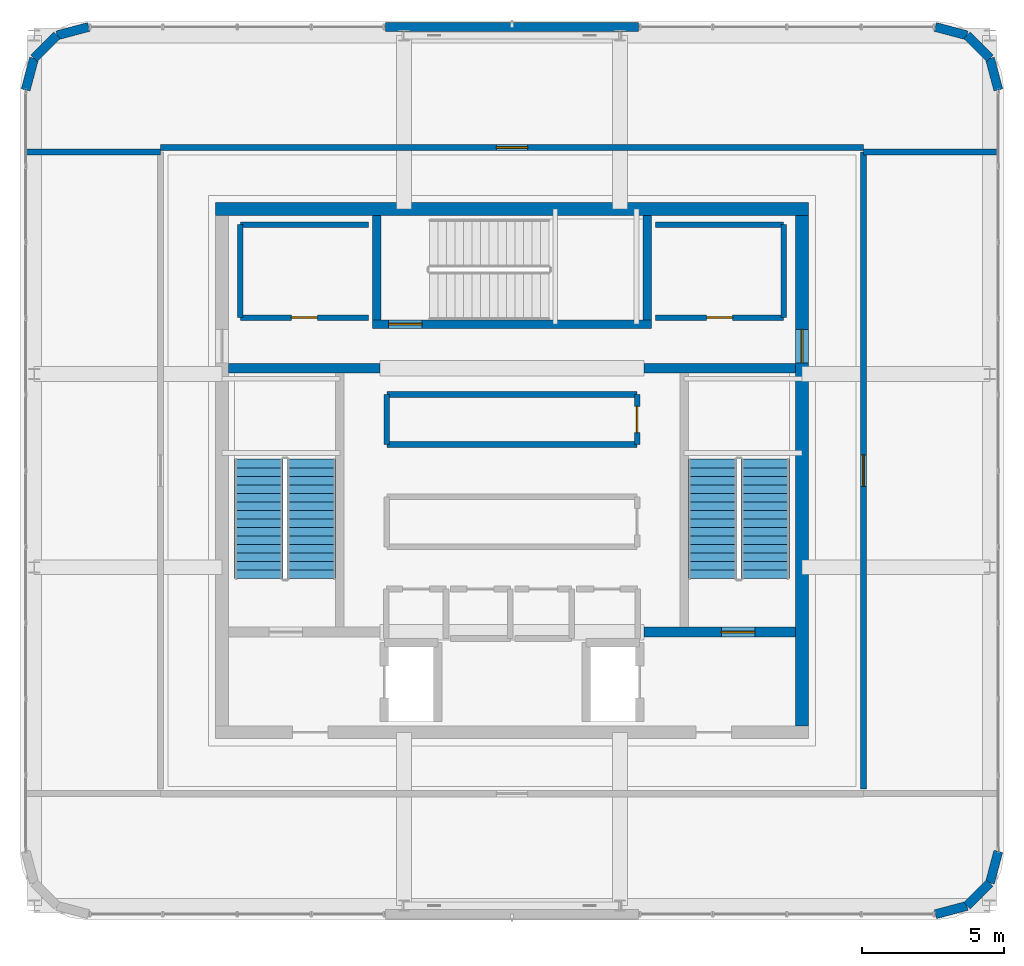
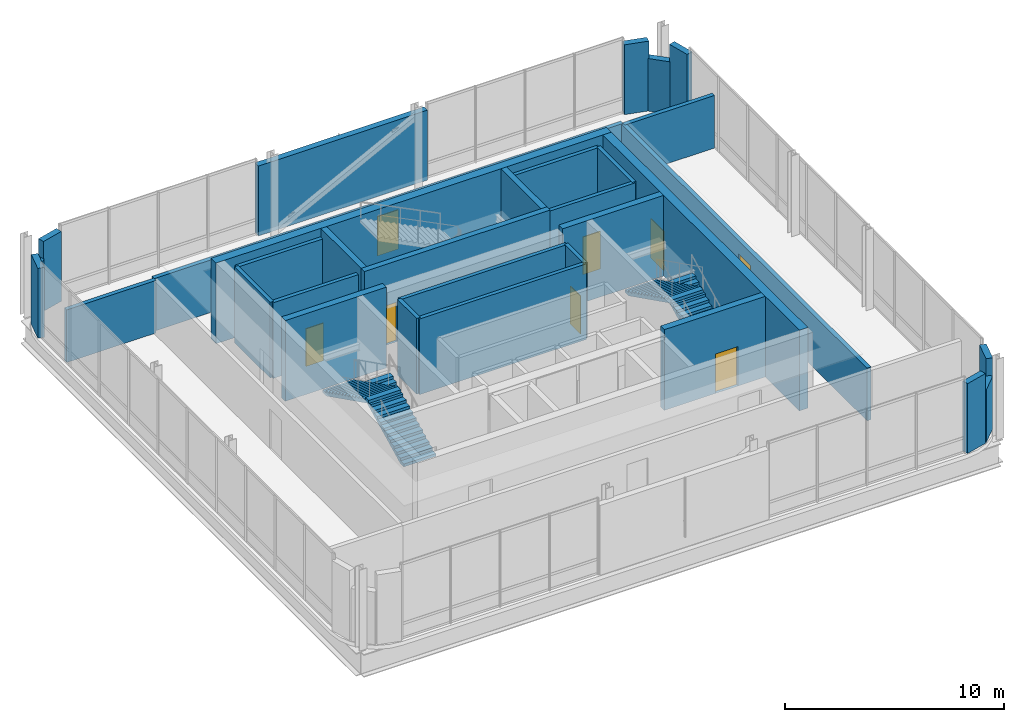
# One storey, part 21 of 25: 32 walls, 8 doors, 4 stair flights, 8 openings, 2 elements without a shape of their own.
"""IFC4 building model written with IfcOpenShell, lengths in metres."""

from ifc_helpers import new_model, si_unit, direction, frame, frame_2d, origin, place, context, subcontext, project, spatial, polyline, rectangle, outline, extrude, material, layer, layer_set, type_object, element, fill, aggregate, save


model = new_model("IFC4")

# Units and contexts
model_context = context("Model", 3, precision=1e-05, world=origin(), true_north=direction((0.0, 1.0)))
body_context = subcontext(model_context, "Body", "Model", "MODEL_VIEW")
ifc_project = project(units=[si_unit("LENGTHUNIT", "METRE"), si_unit("AREAUNIT", "SQUARE_METRE"), si_unit("VOLUMEUNIT", "CUBIC_METRE"), si_unit("PLANEANGLEUNIT", "RADIAN"), si_unit("MASSUNIT", "GRAM", prefix="KILO")], contexts=[model_context])

# Site, building, storey
site_placement = place(None, origin())
site = spatial("IfcSite", under=ifc_project, at=site_placement, CompositionType="ELEMENT")
building_placement = place(site_placement, origin())
building = spatial("IfcBuilding", under=site, at=building_placement, Name="Punatoya Terracotta Tower", CompositionType="ELEMENT")
storey_placement = place(building_placement, frame((0.0, 0.0, 357.300048828125)))
storey = spatial("IfcBuildingStorey", under=building, at=storey_placement, Name="L84", CompositionType="ELEMENT", Elevation=357.300048828125)

# Wall
ifc_material_1 = material(Name="Concrete C50/60", Category="concrete")
ifc_layer_1 = layer(ifc_material_1, 0.449951171875)
ifc_layer_set_1 = layer_set([ifc_layer_1], Name="Concrete C50/60")
wall_type_1 = type_object("IfcWallType", Name="WL-COR-450", PredefinedType="SHEAR", material=ifc_layer_set_1)
wall_1_placement = place(storey_placement, frame((-10.425048828125, 9.199951171875, 0.0), z_axis=(0.0, 0.0, 1.0), x_axis=(1.0, 0.0, 0.0)))
element("IfcWall", 1, at=wall_1_placement, inside=storey, type_object=wall_type_1, Name="L84 Core Shear Wall N", PredefinedType="SHEAR", context=body_context, shape_type="SweptSolid", body=[
    extrude(rectangle(XDim=20.85009765625, YDim=0.449951171875, at=frame_2d((10.425048828125, 0.0))), origin(), (0.0, 0.0, 1.0), 4.5),
])

# Wall, opening, door
wall_2_placement = place(storey_placement, frame((10.199951171875, 8.97509765625, 0.0), z_axis=(0.0, 0.0, 1.0), x_axis=(0.0, -1.0, 0.0)))
wall_2 = element("IfcWall", 2, at=wall_2_placement, inside=storey, type_object=wall_type_1, Name="L84 Core Shear Wall E", PredefinedType="SHEAR", context=body_context, shape_type="SweptSolid", body=[
    extrude(rectangle(XDim=17.9501953125, YDim=0.449951171875, at=frame_2d((8.97509765625, 0.0))), origin(), (0.0, 0.0, 1.0), 4.5),
])
opening_1_placement = place(wall_2_placement, frame((4.0048828125, 0.0, 0.0)))
opening_1 = element("IfcOpeningElement", 3, at=opening_1_placement, cuts=wall_2, Name="Opening SD-01", PredefinedType="OPENING", context=body_context, shape_type="SweptSolid", body=[
    extrude(rectangle(XDim=1.179931640625, YDim=2.199951171875, at=frame_2d((0.58984375, 1.10009765625))), frame((0.0, 0.23486328125, 0.0), z_axis=(0.0, -1.0, 0.0), x_axis=(1.0, 0.0, 0.0)), (0.0, 0.0, 1.0), 0.469970703125),
])
ifc_material_2 = material(Name="Galvanised Steel Pressurized Stair Fire Door", Category="steel")
door_type_1 = type_object("IfcDoorType", Name="DR-STR-1180", OperationType="NOTDEFINED", PredefinedType="DOOR", material=ifc_material_2)
door_1_placement = place(opening_1_placement, origin())
door_1 = element("IfcDoor", 4, at=door_1_placement, inside=storey, type_object=door_type_1, Name="L84 Central Lift Lobby East Fire Door", OperationType="SINGLE_SWING_RIGHT", OverallHeight=2.199951171875, OverallWidth=1.179931640625, PredefinedType="DOOR", context=body_context, shape_type="SweptSolid", body=[
    extrude(rectangle(XDim=1.179931640625, YDim=2.199951171875, at=frame_2d((0.58984375, 1.10009765625))), frame((0.0, 0.02490234375, 0.0), z_axis=(0.0, -1.0, 0.0), x_axis=(1.0, 0.0, 0.0)), (0.0, 0.0, 1.0), 0.050048828125),
])
fill(opening_1, door_1)

# Walls
ifc_material_3 = material(Name="Precast concrete C40/50", Category="concrete")
ifc_layer_2 = layer(ifc_material_3, 0.320068359375)
ifc_layer_set_2 = layer_set([ifc_layer_2], Name="Precast concrete C40/50")
wall_type_2 = type_object("IfcWallType", Name="WL-EXT-320", PredefinedType="SOLIDWALL", material=ifc_layer_set_2)
wall_3_placement = place(storey_placement, frame((14.886962890625, -15.60009765625, 0.0), z_axis=(0.0, 0.0, 1.0), x_axis=(0.966270139534, 0.257530614576, 0.0)))
element("IfcWall", 5, at=wall_3_placement, inside=storey, type_object=wall_type_2, Name="L84 Rounded Terracotta Corner Pier 02", PredefinedType="SOLIDWALL", context=body_context, shape_type="SweptSolid", body=[
    extrude(rectangle(XDim=1.15087890625, YDim=0.320068359375, at=frame_2d((0.575439453125, 0.0))), origin(), (0.0, 0.0, 1.0), 3.89404296875),
])
wall_4_placement = place(storey_placement, frame((15.9990234375, -15.3037109375, 0.0), z_axis=(0.0, 0.0, 1.0), x_axis=(0.707106781187, 0.707106781187, 0.0)))
element("IfcWall", 6, at=wall_4_placement, inside=storey, type_object=wall_type_2, Name="L84 Rounded Terracotta Corner Pier 03", PredefinedType="SOLIDWALL", context=body_context, shape_type="SweptSolid", body=[
    extrude(rectangle(XDim=1.137939453125, YDim=0.320068359375, at=frame_2d((0.56884765625, 0.0))), origin(), (0.0, 0.0, 1.0), 2.933837890625),
])
for number, where, z_axis, x_axis, name in (
    (7, (16.8037109375, -14.4990234375, 0.0), (0.0, 0.0, 1.0), (0.257530614576, 0.966270139534, 0.0), "L84 Rounded Terracotta Corner Pier 04"),
    (8, (17.10009765625, 13.386962890625, 0.0), (0.0, 0.0, 1.0), (-0.257530614576, 0.966270139534, 0.0), "L84 Rounded Terracotta Corner Pier 06"),
):
    element("IfcWall", number, at=place(storey_placement, frame(where, z_axis=z_axis, x_axis=x_axis)), inside=storey, type_object=wall_type_2, Name=name, PredefinedType="SOLIDWALL", context=body_context, shape_type="SweptSolid", body=[
        extrude(rectangle(XDim=1.15087890625, YDim=0.320068359375, at=frame_2d((0.575439453125, 0.0))), origin(), (0.0, 0.0, 1.0), 3.89404296875),
    ])
wall_5_placement = place(storey_placement, frame((16.8037109375, 14.4990234375, 0.0), z_axis=(0.0, 0.0, 1.0), x_axis=(-0.707106781187, 0.707106781187, 0.0)))
element("IfcWall", 9, at=wall_5_placement, inside=storey, type_object=wall_type_2, Name="L84 Rounded Terracotta Corner Pier 07", PredefinedType="SOLIDWALL", context=body_context, shape_type="SweptSolid", body=[
    extrude(rectangle(XDim=1.137939453125, YDim=0.320068359375, at=frame_2d((0.56884765625, 0.0))), origin(), (0.0, 0.0, 1.0), 2.933837890625),
])
wall_6_placement = place(storey_placement, frame((15.9990234375, 15.3037109375, 0.0), z_axis=(0.0, 0.0, 1.0), x_axis=(-0.966270139534, 0.257530614576, 0.0)))
element("IfcWall", 10, at=wall_6_placement, inside=storey, type_object=wall_type_2, Name="L84 Rounded Terracotta Corner Pier 08", PredefinedType="SOLIDWALL", context=body_context, shape_type="SweptSolid", body=[
    extrude(rectangle(XDim=1.15087890625, YDim=0.320068359375, at=frame_2d((0.575439453125, 0.0))), origin(), (0.0, 0.0, 1.0), 3.89404296875),
])
wall_7_placement = place(storey_placement, frame((4.449951171875, 15.60009765625, 0.0), z_axis=(0.0, 0.0, 1.0), x_axis=(-1.0, 0.0, 0.0)))
element("IfcWall", 11, at=wall_7_placement, inside=storey, type_object=wall_type_2, Name="L84 Terracotta Braced Facade Wall N1", PredefinedType="SOLIDWALL", context=body_context, shape_type="SweptSolid", body=[
    extrude(rectangle(XDim=8.89990234375, YDim=0.320068359375, at=frame_2d((4.449951171875, 0.0))), origin(), (0.0, 0.0, 1.0), 3.89404296875),
])
wall_8_placement = place(storey_placement, frame((-14.886962890625, 15.60009765625, 0.0), z_axis=(0.0, 0.0, 1.0), x_axis=(-0.966270139534, -0.257530614576, 0.0)))
element("IfcWall", 12, at=wall_8_placement, inside=storey, type_object=wall_type_2, Name="L84 Rounded Terracotta Corner Pier 10", PredefinedType="SOLIDWALL", context=body_context, shape_type="SweptSolid", body=[
    extrude(rectangle(XDim=1.15087890625, YDim=0.320068359375, at=frame_2d((0.575439453125, 0.0))), origin(), (0.0, 0.0, 1.0), 3.89404296875),
])
wall_9_placement = place(storey_placement, frame((-15.9990234375, 15.3037109375, 0.0), z_axis=(0.0, 0.0, 1.0), x_axis=(-0.707106781187, -0.707106781187, 0.0)))
element("IfcWall", 13, at=wall_9_placement, inside=storey, type_object=wall_type_2, Name="L84 Rounded Terracotta Corner Pier 11", PredefinedType="SOLIDWALL", context=body_context, shape_type="SweptSolid", body=[
    extrude(rectangle(XDim=1.137939453125, YDim=0.320068359375, at=frame_2d((0.56884765625, 0.0))), origin(), (0.0, 0.0, 1.0), 2.933837890625),
])
wall_10_placement = place(storey_placement, frame((-16.8037109375, 14.4990234375, 0.0), z_axis=(0.0, 0.0, 1.0), x_axis=(-0.257530614576, -0.966270139534, 0.0)))
element("IfcWall", 14, at=wall_10_placement, inside=storey, type_object=wall_type_2, Name="L84 Rounded Terracotta Corner Pier 12", PredefinedType="SOLIDWALL", context=body_context, shape_type="SweptSolid", body=[
    extrude(rectangle(XDim=1.15087890625, YDim=0.320068359375, at=frame_2d((0.575439453125, 0.0))), origin(), (0.0, 0.0, 1.0), 3.89404296875),
])
ifc_material_4 = material(Name="Concrete C40/50", Category="concrete")
ifc_layer_3 = layer(ifc_material_4, 0.219970703125)
ifc_layer_set_3 = layer_set([ifc_layer_3], Name="Concrete C40/50")
wall_type_3 = type_object("IfcWallType", Name="WL-FIR-220", PredefinedType="SOLIDWALL", material=ifc_layer_set_3)
wall_11_placement = place(storey_placement, frame((-17.080078125, 11.199951171875, 0.0), z_axis=(0.0, 0.0, 1.0), x_axis=(1.0, 0.0, 0.0)))
element("IfcWall", 15, at=wall_11_placement, inside=storey, type_object=wall_type_3, Name="L84 Crown West Smoke-Extract and Fan Plant Room Partition 29", PredefinedType="SOLIDWALL", context=body_context, shape_type="SweptSolid", body=[
    extrude(rectangle(XDim=4.719970703125, YDim=0.219970703125, at=frame_2d((2.35986328125, 0.0))), origin(), (0.0, 0.0, 1.0), 2.933837890625),
])

# Wall, opening, door
wall_12_placement = place(storey_placement, frame((12.360107421875, -11.199951171875, 0.0), z_axis=(0.0, 0.0, 1.0), x_axis=(0.0, 1.0, 0.0)))
wall_12 = element("IfcWall", 16, at=wall_12_placement, inside=storey, type_object=wall_type_3, Name="L84 Crown East Lift Machine and BMS Control Plant Partition 31", PredefinedType="SOLIDWALL", context=body_context, shape_type="SweptSolid", body=[
    extrude(rectangle(XDim=22.39990234375, YDim=0.219970703125, at=frame_2d((11.199951171875, 0.0))), origin(), (0.0, 0.0, 1.0), 2.933837890625),
])
opening_2_placement = place(wall_12_placement, frame((10.64990234375, 0.0, 0.0)))
opening_2 = element("IfcOpeningElement", 17, at=opening_2_placement, cuts=wall_12, Name="Opening FD-P1", PredefinedType="OPENING", context=body_context, shape_type="SweptSolid", body=[
    extrude(rectangle(XDim=1.10009765625, YDim=2.199951171875, at=frame_2d((0.550048828125, 1.10009765625))), frame((0.0, 0.119873046875, 0.0), z_axis=(0.0, -1.0, 0.0), x_axis=(1.0, 0.0, 0.0)), (0.0, 0.0, 1.0), 0.239990234375),
])
ifc_material_5 = material(Name="Galvanised Steel Plant Fire Door", Category="steel")
door_type_2 = type_object("IfcDoorType", Name="DR-PLT-1100", OperationType="NOTDEFINED", PredefinedType="DOOR", material=ifc_material_5)
door_2_placement = place(opening_2_placement, origin())
door_2 = element("IfcDoor", 18, at=door_2_placement, inside=storey, type_object=door_type_2, Name="L84 Crown East Lift Machine and BMS Control Plant Fire Door", OperationType="SINGLE_SWING_RIGHT", OverallHeight=2.199951171875, OverallWidth=1.10009765625, PredefinedType="DOOR", context=body_context, shape_type="SweptSolid", body=[
    extrude(rectangle(XDim=1.10009765625, YDim=2.199951171875, at=frame_2d((0.550048828125, 1.10009765625))), frame((0.0, 0.02490234375, 0.0), z_axis=(0.0, -1.0, 0.0), x_axis=(1.0, 0.0, 0.0)), (0.0, 0.0, 1.0), 0.050048828125),
])
fill(opening_2, door_2)

# Wall
wall_13_placement = place(storey_placement, frame((12.360107421875, 11.199951171875, 0.0), z_axis=(0.0, 0.0, 1.0), x_axis=(1.0, 0.0, 0.0)))
element("IfcWall", 19, at=wall_13_placement, inside=storey, type_object=wall_type_3, Name="L84 Crown East Lift Machine and BMS Control Plant Partition 32", PredefinedType="SOLIDWALL", context=body_context, shape_type="SweptSolid", body=[
    extrude(rectangle(XDim=4.719970703125, YDim=0.219970703125, at=frame_2d((2.35986328125, 0.0))), origin(), (0.0, 0.0, 1.0), 2.933837890625),
])

# Wall, opening, door
wall_14_placement = place(storey_placement, frame((12.360107421875, 11.360107421875, 0.0), z_axis=(0.0, 0.0, 1.0), x_axis=(-1.0, 0.0, 0.0)))
wall_14 = element("IfcWall", 20, at=wall_14_placement, inside=storey, type_object=wall_type_3, Name="L84 Crown North Standby Power and Booster Pump Plant Partition 33", PredefinedType="SOLIDWALL", context=body_context, shape_type="SweptSolid", body=[
    extrude(rectangle(XDim=24.72021484375, YDim=0.219970703125, at=frame_2d((12.360107421875, 0.0))), origin(), (0.0, 0.0, 1.0), 2.933837890625),
])
opening_3_placement = place(wall_14_placement, frame((11.81005859375, 0.0, 0.0)))
opening_3 = element("IfcOpeningElement", 21, at=opening_3_placement, cuts=wall_14, Name="Opening FD-P1", PredefinedType="OPENING", context=body_context, shape_type="SweptSolid", body=[
    extrude(rectangle(XDim=1.10009765625, YDim=2.199951171875, at=frame_2d((0.550048828125, 1.10009765625))), frame((0.0, 0.119873046875, 0.0), z_axis=(0.0, -1.0, 0.0), x_axis=(1.0, 0.0, 0.0)), (0.0, 0.0, 1.0), 0.239990234375),
])
door_3_placement = place(opening_3_placement, origin())
door_3 = element("IfcDoor", 22, at=door_3_placement, inside=storey, type_object=door_type_2, Name="L84 Crown North Standby Power and Booster Pump Plant Fire Door", OperationType="SINGLE_SWING_LEFT", OverallHeight=2.199951171875, OverallWidth=1.10009765625, PredefinedType="DOOR", context=body_context, shape_type="SweptSolid", body=[
    extrude(rectangle(XDim=1.10009765625, YDim=2.199951171875, at=frame_2d((0.550048828125, 1.10009765625))), frame((0.0, 0.02490234375, 0.0), z_axis=(0.0, -1.0, 0.0), x_axis=(1.0, 0.0, 0.0)), (0.0, 0.0, 1.0), 0.050048828125),
])
fill(opening_3, door_3)

ifc_layer_4 = layer(ifc_material_4, 0.199951171875)
ifc_layer_set_4 = layer_set([ifc_layer_4], Name="Concrete C40/50")
wall_type_4 = type_object("IfcWallType", Name="WL-INT-200", PredefinedType="SOLIDWALL", material=ifc_layer_set_4)
wall_15_placement = place(storey_placement, frame((4.39990234375, 0.919921875, 0.0), z_axis=(0.0, 0.0, 1.0), x_axis=(0.0, 1.0, 0.0)))
wall_15 = element("IfcWall", 23, at=wall_15_placement, inside=storey, type_object=wall_type_4, Name="L84 Crown Stair Pressurization Fan Room Partition 16", PredefinedType="SOLIDWALL", context=body_context, shape_type="SweptSolid", body=[
    extrude(rectangle(XDim=1.760009765625, YDim=0.199951171875, at=frame_2d((0.8798828125, 0.0))), origin(), (0.0, 0.0, 1.0), 4.219970703125),
])
opening_4_placement = place(wall_15_placement, frame((0.419921875, 0.0, 0.0)))
opening_4 = element("IfcOpeningElement", 24, at=opening_4_placement, cuts=wall_15, Name="Opening FD-R1", PredefinedType="OPENING", context=body_context, shape_type="SweptSolid", body=[
    extrude(rectangle(XDim=0.919921875, YDim=2.10009765625, at=frame_2d((0.4599609375, 1.050048828125))), frame((0.0, 0.10986328125, 0.0), z_axis=(0.0, -1.0, 0.0), x_axis=(1.0, 0.0, 0.0)), (0.0, 0.0, 1.0), 0.219970703125),
])
ifc_material_6 = material(Name="Galvanised Steel Riser Fire Access Door", Category="steel")
door_type_3 = type_object("IfcDoorType", Name="DR-RSR-920", OperationType="NOTDEFINED", PredefinedType="DOOR", material=ifc_material_6)
door_4_placement = place(opening_4_placement, origin())
door_4 = element("IfcDoor", 25, at=door_4_placement, inside=storey, type_object=door_type_3, Name="L84 Crown Stair Pressurization Fan Room Fire Door", OperationType="SINGLE_SWING_LEFT", OverallHeight=2.10009765625, OverallWidth=0.919921875, PredefinedType="DOOR", context=body_context, shape_type="SweptSolid", body=[
    extrude(rectangle(XDim=0.919921875, YDim=2.10009765625, at=frame_2d((0.4599609375, 1.050048828125))), frame((0.0, 0.02490234375, 0.0), z_axis=(0.0, -1.0, 0.0), x_axis=(1.0, 0.0, 0.0)), (0.0, 0.0, 1.0), 0.050048828125),
])
fill(opening_4, door_4)

# Walls
wall_16_placement = place(storey_placement, frame((4.39990234375, 2.679931640625, 0.0), z_axis=(0.0, 0.0, 1.0), x_axis=(-1.0, 0.0, 0.0)))
element("IfcWall", 26, at=wall_16_placement, inside=storey, type_object=wall_type_4, Name="L84 Crown Stair Pressurization Fan Room Partition 17", PredefinedType="SOLIDWALL", context=body_context, shape_type="SweptSolid", body=[
    extrude(rectangle(XDim=8.7998046875, YDim=0.199951171875, at=frame_2d((4.39990234375, 0.0))), origin(), (0.0, 0.0, 1.0), 4.219970703125),
])
wall_17_placement = place(storey_placement, frame((-4.39990234375, 2.679931640625, 0.0), z_axis=(0.0, 0.0, 1.0), x_axis=(0.0, -1.0, 0.0)))
element("IfcWall", 27, at=wall_17_placement, inside=storey, type_object=wall_type_4, Name="L84 Crown Stair Pressurization Fan Room Partition 18", PredefinedType="SOLIDWALL", context=body_context, shape_type="SweptSolid", body=[
    extrude(rectangle(XDim=1.760009765625, YDim=0.199951171875, at=frame_2d((0.8798828125, 0.0))), origin(), (0.0, 0.0, 1.0), 4.219970703125),
])
wall_18_placement = place(storey_placement, frame((-4.39990234375, 0.919921875, 0.0), z_axis=(0.0, 0.0, 1.0), x_axis=(1.0, 0.0, 0.0)))
element("IfcWall", 28, at=wall_18_placement, inside=storey, type_object=wall_type_4, Name="L84 Crown Stair Pressurization Fan Room Partition 19", PredefinedType="SOLIDWALL", context=body_context, shape_type="SweptSolid", body=[
    extrude(rectangle(XDim=8.7998046875, YDim=0.199951171875, at=frame_2d((4.39990234375, 0.0))), origin(), (0.0, 0.0, 1.0), 4.219970703125),
])
wall_19_placement = place(storey_placement, frame((-5.050048828125, 8.64990234375, 0.0), z_axis=(0.0, 0.0, 1.0), x_axis=(-1.0, 0.0, 0.0)))
element("IfcWall", 29, at=wall_19_placement, inside=storey, type_object=wall_type_4, Name="L84 West Duct Riser Partition 20", PredefinedType="SOLIDWALL", context=body_context, shape_type="SweptSolid", body=[
    extrude(rectangle(XDim=4.5, YDim=0.199951171875, at=frame_2d((2.25, 0.0))), origin(), (0.0, 0.0, 1.0), 4.219970703125),
])
wall_20_placement = place(storey_placement, frame((-9.550048828125, 8.64990234375, 0.0), z_axis=(0.0, 0.0, 1.0), x_axis=(0.0, -1.0, 0.0)))
element("IfcWall", 30, at=wall_20_placement, inside=storey, type_object=wall_type_4, Name="L84 West Duct Riser Partition 21", PredefinedType="SOLIDWALL", context=body_context, shape_type="SweptSolid", body=[
    extrude(rectangle(XDim=3.27001953125, YDim=0.199951171875, at=frame_2d((1.635009765625, 0.0))), origin(), (0.0, 0.0, 1.0), 4.219970703125),
])

# Wall, opening, door
wall_21_placement = place(storey_placement, frame((-9.550048828125, 5.3798828125, 0.0), z_axis=(0.0, 0.0, 1.0), x_axis=(1.0, 0.0, 0.0)))
wall_21 = element("IfcWall", 31, at=wall_21_placement, inside=storey, type_object=wall_type_4, Name="L84 West Duct Riser Partition 22", PredefinedType="SOLIDWALL", context=body_context, shape_type="SweptSolid", body=[
    extrude(rectangle(XDim=4.5, YDim=0.199951171875, at=frame_2d((2.25, 0.0))), origin(), (0.0, 0.0, 1.0), 4.219970703125),
])
opening_5_placement = place(wall_21_placement, frame((1.7900390625, 0.0, 0.0)))
opening_5 = element("IfcOpeningElement", 32, at=opening_5_placement, cuts=wall_21, Name="Opening FD-R1", PredefinedType="OPENING", context=body_context, shape_type="SweptSolid", body=[
    extrude(rectangle(XDim=0.919921875, YDim=2.10009765625, at=frame_2d((0.4599609375, 1.050048828125))), frame((0.0, 0.10986328125, 0.0), z_axis=(0.0, -1.0, 0.0), x_axis=(1.0, 0.0, 0.0)), (0.0, 0.0, 1.0), 0.219970703125),
])
door_5_placement = place(opening_5_placement, origin())
door_5 = element("IfcDoor", 33, at=door_5_placement, inside=storey, type_object=door_type_3, Name="L84 West Duct Riser Fire Door", OperationType="SINGLE_SWING_RIGHT", OverallHeight=2.10009765625, OverallWidth=0.919921875, PredefinedType="DOOR", context=body_context, shape_type="SweptSolid", body=[
    extrude(rectangle(XDim=0.919921875, YDim=2.10009765625, at=frame_2d((0.4599609375, 1.050048828125))), frame((0.0, 0.02490234375, 0.0), z_axis=(0.0, -1.0, 0.0), x_axis=(1.0, 0.0, 0.0)), (0.0, 0.0, 1.0), 0.050048828125),
])
fill(opening_5, door_5)

# Walls
wall_22_placement = place(storey_placement, frame((9.550048828125, 5.3798828125, 0.0), z_axis=(0.0, 0.0, 1.0), x_axis=(0.0, 1.0, 0.0)))
element("IfcWall", 34, at=wall_22_placement, inside=storey, type_object=wall_type_4, Name="L84 East Duct Riser Partition 23", PredefinedType="SOLIDWALL", context=body_context, shape_type="SweptSolid", body=[
    extrude(rectangle(XDim=3.27001953125, YDim=0.199951171875, at=frame_2d((1.635009765625, 0.0))), origin(), (0.0, 0.0, 1.0), 4.219970703125),
])
wall_23_placement = place(storey_placement, frame((9.550048828125, 8.64990234375, 0.0), z_axis=(0.0, 0.0, 1.0), x_axis=(-1.0, 0.0, 0.0)))
element("IfcWall", 35, at=wall_23_placement, inside=storey, type_object=wall_type_4, Name="L84 East Duct Riser Partition 24", PredefinedType="SOLIDWALL", context=body_context, shape_type="SweptSolid", body=[
    extrude(rectangle(XDim=4.5, YDim=0.199951171875, at=frame_2d((2.25, 0.0))), origin(), (0.0, 0.0, 1.0), 4.219970703125),
])

# Wall, opening, door
wall_24_placement = place(storey_placement, frame((5.050048828125, 5.3798828125, 0.0), z_axis=(0.0, 0.0, 1.0), x_axis=(1.0, 0.0, 0.0)))
wall_24 = element("IfcWall", 36, at=wall_24_placement, inside=storey, type_object=wall_type_4, Name="L84 East Duct Riser Partition 25", PredefinedType="SOLIDWALL", context=body_context, shape_type="SweptSolid", body=[
    extrude(rectangle(XDim=4.5, YDim=0.199951171875, at=frame_2d((2.25, 0.0))), origin(), (0.0, 0.0, 1.0), 4.219970703125),
])
opening_6_placement = place(wall_24_placement, frame((1.7900390625, 0.0, 0.0)))
opening_6 = element("IfcOpeningElement", 37, at=opening_6_placement, cuts=wall_24, Name="Opening FD-R1", PredefinedType="OPENING", context=body_context, shape_type="SweptSolid", body=[
    extrude(rectangle(XDim=0.919921875, YDim=2.10009765625, at=frame_2d((0.4599609375, 1.050048828125))), frame((0.0, 0.10986328125, 0.0), z_axis=(0.0, -1.0, 0.0), x_axis=(1.0, 0.0, 0.0)), (0.0, 0.0, 1.0), 0.219970703125),
])
door_6_placement = place(opening_6_placement, origin())
door_6 = element("IfcDoor", 38, at=door_6_placement, inside=storey, type_object=door_type_3, Name="L84 East Duct Riser Fire Door", OperationType="SINGLE_SWING_LEFT", OverallHeight=2.10009765625, OverallWidth=0.919921875, PredefinedType="DOOR", context=body_context, shape_type="SweptSolid", body=[
    extrude(rectangle(XDim=0.919921875, YDim=2.10009765625, at=frame_2d((0.4599609375, 1.050048828125))), frame((0.0, 0.02490234375, 0.0), z_axis=(0.0, -1.0, 0.0), x_axis=(1.0, 0.0, 0.0)), (0.0, 0.0, 1.0), 0.050048828125),
])
fill(opening_6, door_6)

# Walls
ifc_layer_5 = layer(ifc_material_4, 0.300048828125)
ifc_layer_set_5 = layer_set([ifc_layer_5], Name="Concrete C40/50")
wall_type_5 = type_object("IfcWallType", Name="WL-SHF-300", PredefinedType="SOLIDWALL", material=ifc_layer_set_5)
for number, where, z_axis, x_axis, name in (
    (39, (-4.75, 5.300048828125, 0.0), (0.0, 0.0, 1.0), (0.0, 1.0, 0.0), "L84 Structural Stair Shaft Wall SW-ST3-W"),
    (40, (4.75, 8.97509765625, 0.0), (0.0, 0.0, 1.0), (0.0, -1.0, 0.0), "L84 Structural Stair Shaft Wall SW-ST3-E"),
):
    element("IfcWall", number, at=place(storey_placement, frame(where, z_axis=z_axis, x_axis=x_axis)), inside=storey, type_object=wall_type_5, Name=name, PredefinedType="SOLIDWALL", context=body_context, shape_type="SweptSolid", body=[
        extrude(rectangle(XDim=3.675048828125, YDim=0.300048828125, at=frame_2d((1.83740234375, 0.0))), origin(), (0.0, 0.0, 1.0), 4.5),
    ])

# Wall, opening, door
wall_25_placement = place(storey_placement, frame((-4.89990234375, 5.14990234375, 0.0), z_axis=(0.0, 0.0, 1.0), x_axis=(1.0, 0.0, 0.0)))
wall_25 = element("IfcWall", 41, at=wall_25_placement, inside=storey, type_object=wall_type_5, Name="L84 Structural Stair Shaft Wall SW-ST3-S", PredefinedType="SOLIDWALL", context=body_context, shape_type="SweptSolid", body=[
    extrude(rectangle(XDim=9.7998046875, YDim=0.300048828125, at=frame_2d((4.89990234375, 0.0))), origin(), (0.0, 0.0, 1.0), 4.5),
])
opening_7_placement = place(wall_25_placement, frame((0.56005859375, 0.0, 0.0)))
opening_7 = element("IfcOpeningElement", 42, at=opening_7_placement, cuts=wall_25, Name="Opening SD-01", PredefinedType="OPENING", context=body_context, shape_type="SweptSolid", body=[
    extrude(rectangle(XDim=1.179931640625, YDim=2.199951171875, at=frame_2d((0.58984375, 1.10009765625))), frame((0.0, 0.159912109375, 0.0), z_axis=(0.0, -1.0, 0.0), x_axis=(1.0, 0.0, 0.0)), (0.0, 0.0, 1.0), 0.320068359375),
])
door_7_placement = place(opening_7_placement, origin())
door_7 = element("IfcDoor", 43, at=door_7_placement, inside=storey, type_object=door_type_1, Name="L84 Stair ST-3 Core Lobby Fire Door", OperationType="SINGLE_SWING_LEFT", OverallHeight=2.199951171875, OverallWidth=1.179931640625, PredefinedType="DOOR", context=body_context, shape_type="SweptSolid", body=[
    extrude(rectangle(XDim=1.179931640625, YDim=2.199951171875, at=frame_2d((0.58984375, 1.10009765625))), frame((0.0, 0.02490234375, 0.0), z_axis=(0.0, -1.0, 0.0), x_axis=(1.0, 0.0, 0.0)), (0.0, 0.0, 1.0), 0.050048828125),
])
fill(opening_7, door_7)

ifc_layer_6 = layer(ifc_material_1, 0.35009765625)
ifc_layer_set_6 = layer_set([ifc_layer_6], Name="Concrete C50/60")
wall_type_6 = type_object("IfcWallType", Name="WL-SHF-350", PredefinedType="SOLIDWALL", material=ifc_layer_set_6)
wall_26_placement = place(storey_placement, frame((4.64990234375, -5.679931640625, 0.0), z_axis=(0.0, 0.0, 1.0), x_axis=(1.0, 0.0, 0.0)))
wall_26 = element("IfcWall", 44, at=wall_26_placement, inside=storey, type_object=wall_type_6, Name="L84 Core Web Wall CSW-R", PredefinedType="SOLIDWALL", context=body_context, shape_type="SweptSolid", body=[
    extrude(rectangle(XDim=5.3251953125, YDim=0.35009765625, at=frame_2d((2.66259765625, 0.0))), origin(), (0.0, 0.0, 1.0), 4.5),
])
opening_8_placement = place(wall_26_placement, frame((2.7099609375, 0.0, 0.0)))
opening_8 = element("IfcOpeningElement", 45, at=opening_8_placement, cuts=wall_26, Name="Opening SD-01", PredefinedType="OPENING", context=body_context, shape_type="SweptSolid", body=[
    extrude(rectangle(XDim=1.179931640625, YDim=2.199951171875, at=frame_2d((0.58984375, 1.10009765625))), frame((0.0, 0.18505859375, 0.0), z_axis=(0.0, -1.0, 0.0), x_axis=(1.0, 0.0, 0.0)), (0.0, 0.0, 1.0), 0.3701171875),
])
door_8_placement = place(opening_8_placement, origin())
door_8 = element("IfcDoor", 46, at=door_8_placement, inside=storey, type_object=door_type_1, Name="L84 Stair ST-2 Smokeproof Lobby Fire Door", OperationType="SINGLE_SWING_RIGHT", OverallHeight=2.199951171875, OverallWidth=1.179931640625, PredefinedType="DOOR", context=body_context, shape_type="SweptSolid", body=[
    extrude(rectangle(XDim=1.179931640625, YDim=2.199951171875, at=frame_2d((0.58984375, 1.10009765625))), frame((0.0, 0.02490234375, 0.0), z_axis=(0.0, -1.0, 0.0), x_axis=(1.0, 0.0, 0.0)), (0.0, 0.0, 1.0), 0.050048828125),
])
fill(opening_8, door_8)

# Walls
for number, where, z_axis, x_axis, name in (
    (47, (-9.97509765625, 3.60009765625, 0.0), (0.0, 0.0, 1.0), (1.0, 0.0, 0.0), "L84 Core Web Wall CNW-L"),
    (48, (4.64990234375, 3.60009765625, 0.0), (0.0, 0.0, 1.0), (1.0, 0.0, 0.0), "L84 Core Web Wall CNW-R"),
):
    element("IfcWall", number, at=place(storey_placement, frame(where, z_axis=z_axis, x_axis=x_axis)), inside=storey, type_object=wall_type_6, Name=name, PredefinedType="SOLIDWALL", context=body_context, shape_type="SweptSolid", body=[
        extrude(rectangle(XDim=5.3251953125, YDim=0.35009765625, at=frame_2d((2.66259765625, 0.0))), origin(), (0.0, 0.0, 1.0), 4.5),
    ])

# Stair, stair flights
stair_type_1 = type_object("IfcStairType", Name="STR-CORE-1550", PredefinedType="HALF_TURN_STAIR", material=ifc_material_4)
stair_1_placement = place(storey_placement, origin())
stair_1 = element("IfcStair", 49, at=stair_1_placement, inside=storey, type_object=stair_type_1, Name="L84 Protected Core Exit Stair ST-1", PredefinedType="HALF_TURN_STAIR")
stair_flight_type_1 = type_object("IfcStairFlightType", Name="SFL-CORE-1550", PredefinedType="STRAIGHT", material=ifc_material_4)
stair_flight_1_placement = place(storey_placement, frame((-7.050048828125, -3.800048828125, 0.0), z_axis=(0.0, 0.0, 1.0), x_axis=(0.0, 1.0, 0.0)))
stair_flight_1 = element("IfcStairFlight", 50, at=stair_flight_1_placement, type_object=stair_flight_type_1, Name="ST-1 flight 1", NumberOfRisers=15, NumberOfTreads=14, PredefinedType="STRAIGHT", RiserHeight=0.15, TreadLength=0.3, context=body_context, shape_type="SweptSolid", body=[
    extrude(outline(polyline([(0.0, 0.0), (0.0, 0.14990234375), (0.300048828125, 0.14990234375), (0.300048828125, 0.300048828125), (0.60009765625, 0.300048828125), (0.60009765625, 0.449951171875), (0.89990234375, 0.449951171875), (0.89990234375, 0.60009765625), (1.199951171875, 0.60009765625), (1.199951171875, 0.75), (1.5, 0.75), (1.5, 0.89990234375), (1.800048828125, 0.89990234375), (1.800048828125, 1.050048828125), (2.10009765625, 1.050048828125), (2.10009765625, 1.199951171875), (2.39990234375, 1.199951171875), (2.39990234375, 1.35009765625), (2.699951171875, 1.35009765625), (2.699951171875, 1.5), (3.0, 1.5), (3.0, 1.64990234375), (3.300048828125, 1.64990234375), (3.300048828125, 1.800048828125), (3.60009765625, 1.800048828125), (3.60009765625, 1.949951171875), (3.89990234375, 1.949951171875), (3.89990234375, 2.10009765625), (4.199951171875, 2.10009765625), (4.199951171875, 2.25), (4.199951171875, 1.932373046875), (0.335205078125, 0.0), (0.0, 0.0)])), frame((0.0, 0.85009765625, 0.0), z_axis=(0.0, -1.0, 0.0), x_axis=(1.0, 0.0, 0.0)), (0.0, 0.0, 1.0), 1.699951171875),
])
stair_flight_2_placement = place(storey_placement, frame((-8.89990234375, 0.39990234375, 2.25), z_axis=(0.0, 0.0, 1.0), x_axis=(0.0, -1.0, 0.0)))
stair_flight_2 = element("IfcStairFlight", 51, at=stair_flight_2_placement, type_object=stair_flight_type_1, Name="ST-1 flight 2", NumberOfRisers=15, NumberOfTreads=14, PredefinedType="STRAIGHT", RiserHeight=0.15, TreadLength=0.3, context=body_context, shape_type="SweptSolid", body=[
    extrude(outline(polyline([(0.0, 0.0), (0.0, 0.14990234375), (0.300048828125, 0.14990234375), (0.300048828125, 0.300048828125), (0.60009765625, 0.300048828125), (0.60009765625, 0.449951171875), (0.89990234375, 0.449951171875), (0.89990234375, 0.60009765625), (1.199951171875, 0.60009765625), (1.199951171875, 0.75), (1.5, 0.75), (1.5, 0.89990234375), (1.800048828125, 0.89990234375), (1.800048828125, 1.050048828125), (2.10009765625, 1.050048828125), (2.10009765625, 1.199951171875), (2.39990234375, 1.199951171875), (2.39990234375, 1.35009765625), (2.699951171875, 1.35009765625), (2.699951171875, 1.5), (3.0, 1.5), (3.0, 1.64990234375), (3.300048828125, 1.64990234375), (3.300048828125, 1.800048828125), (3.60009765625, 1.800048828125), (3.60009765625, 1.949951171875), (3.89990234375, 1.949951171875), (3.89990234375, 2.10009765625), (4.199951171875, 2.10009765625), (4.199951171875, 2.25), (4.199951171875, 1.932373046875), (0.335205078125, 0.0), (0.0, 0.0)])), frame((0.0, 0.85009765625, 0.0), z_axis=(0.0, -1.0, 0.0), x_axis=(1.0, 0.0, 0.0)), (0.0, 0.0, 1.0), 1.699951171875),
])
aggregate(stair_1, [stair_flight_1, stair_flight_2])

stair_type_2 = type_object("IfcStairType", Name="STR-LOB-1650", PredefinedType="HALF_TURN_STAIR", material=ifc_material_4)
stair_2_placement = place(storey_placement, origin())
stair_2 = element("IfcStair", 52, at=stair_2_placement, inside=storey, type_object=stair_type_2, Name="L84 Protected Core Exit Stair ST-2", PredefinedType="HALF_TURN_STAIR")
stair_flight_type_2 = type_object("IfcStairFlightType", Name="SFL-LOB-1650", PredefinedType="STRAIGHT", material=ifc_material_4)
stair_flight_3_placement = place(storey_placement, frame((8.89990234375, -3.800048828125, 0.0), z_axis=(0.0, 0.0, 1.0), x_axis=(0.0, 1.0, 0.0)))
stair_flight_3 = element("IfcStairFlight", 53, at=stair_flight_3_placement, type_object=stair_flight_type_2, Name="ST-2 flight 1", NumberOfRisers=15, NumberOfTreads=14, PredefinedType="STRAIGHT", RiserHeight=0.15, TreadLength=0.3, context=body_context, shape_type="SweptSolid", body=[
    extrude(outline(polyline([(0.0, 0.0), (0.0, 0.14990234375), (0.300048828125, 0.14990234375), (0.300048828125, 0.300048828125), (0.60009765625, 0.300048828125), (0.60009765625, 0.449951171875), (0.89990234375, 0.449951171875), (0.89990234375, 0.60009765625), (1.199951171875, 0.60009765625), (1.199951171875, 0.75), (1.5, 0.75), (1.5, 0.89990234375), (1.800048828125, 0.89990234375), (1.800048828125, 1.050048828125), (2.10009765625, 1.050048828125), (2.10009765625, 1.199951171875), (2.39990234375, 1.199951171875), (2.39990234375, 1.35009765625), (2.699951171875, 1.35009765625), (2.699951171875, 1.5), (3.0, 1.5), (3.0, 1.64990234375), (3.300048828125, 1.64990234375), (3.300048828125, 1.800048828125), (3.60009765625, 1.800048828125), (3.60009765625, 1.949951171875), (3.89990234375, 1.949951171875), (3.89990234375, 2.10009765625), (4.199951171875, 2.10009765625), (4.199951171875, 2.25), (4.199951171875, 1.932373046875), (0.335205078125, 0.0), (0.0, 0.0)])), frame((0.0, 0.85009765625, 0.0), z_axis=(0.0, -1.0, 0.0), x_axis=(1.0, 0.0, 0.0)), (0.0, 0.0, 1.0), 1.699951171875),
])
stair_flight_4_placement = place(storey_placement, frame((7.050048828125, 0.39990234375, 2.25), z_axis=(0.0, 0.0, 1.0), x_axis=(0.0, -1.0, 0.0)))
stair_flight_4 = element("IfcStairFlight", 54, at=stair_flight_4_placement, type_object=stair_flight_type_2, Name="ST-2 flight 2", NumberOfRisers=15, NumberOfTreads=14, PredefinedType="STRAIGHT", RiserHeight=0.15, TreadLength=0.3, context=body_context, shape_type="SweptSolid", body=[
    extrude(outline(polyline([(0.0, 0.0), (0.0, 0.14990234375), (0.300048828125, 0.14990234375), (0.300048828125, 0.300048828125), (0.60009765625, 0.300048828125), (0.60009765625, 0.449951171875), (0.89990234375, 0.449951171875), (0.89990234375, 0.60009765625), (1.199951171875, 0.60009765625), (1.199951171875, 0.75), (1.5, 0.75), (1.5, 0.89990234375), (1.800048828125, 0.89990234375), (1.800048828125, 1.050048828125), (2.10009765625, 1.050048828125), (2.10009765625, 1.199951171875), (2.39990234375, 1.199951171875), (2.39990234375, 1.35009765625), (2.699951171875, 1.35009765625), (2.699951171875, 1.5), (3.0, 1.5), (3.0, 1.64990234375), (3.300048828125, 1.64990234375), (3.300048828125, 1.800048828125), (3.60009765625, 1.800048828125), (3.60009765625, 1.949951171875), (3.89990234375, 1.949951171875), (3.89990234375, 2.10009765625), (4.199951171875, 2.10009765625), (4.199951171875, 2.25), (4.199951171875, 1.932373046875), (0.335205078125, 0.0), (0.0, 0.0)])), frame((0.0, 0.85009765625, 0.0), z_axis=(0.0, -1.0, 0.0), x_axis=(1.0, 0.0, 0.0)), (0.0, 0.0, 1.0), 1.699951171875),
])
aggregate(stair_2, [stair_flight_3, stair_flight_4])

save(model, "model.ifc")
